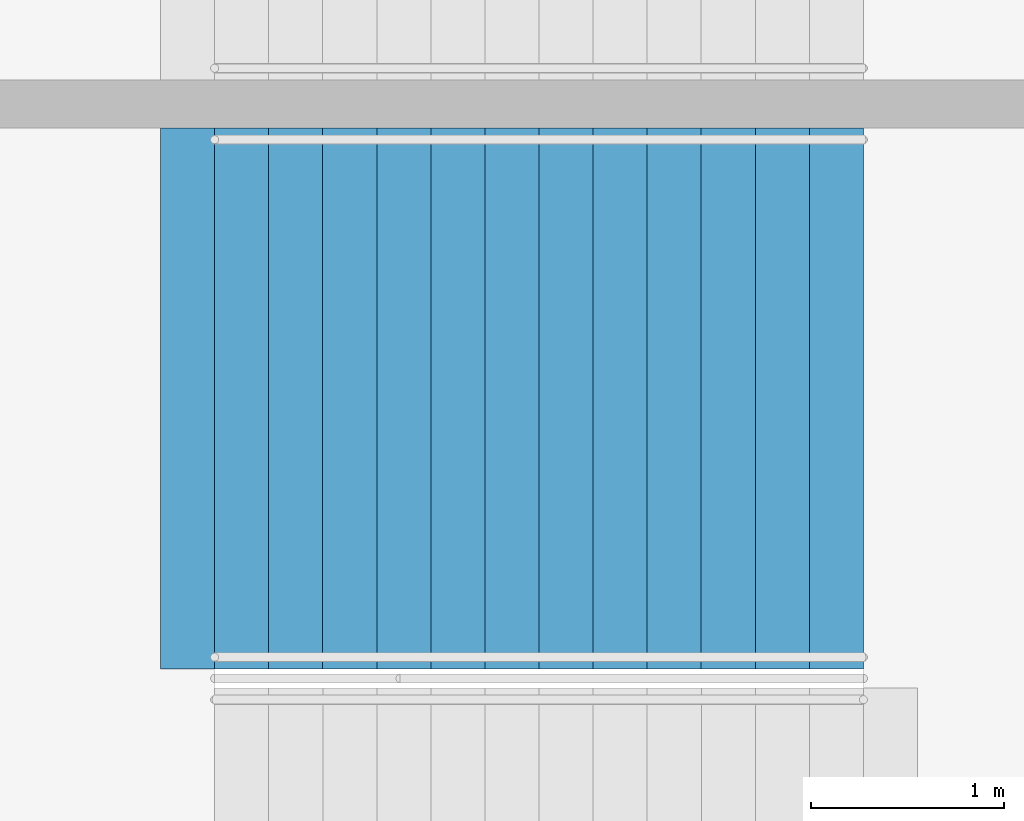
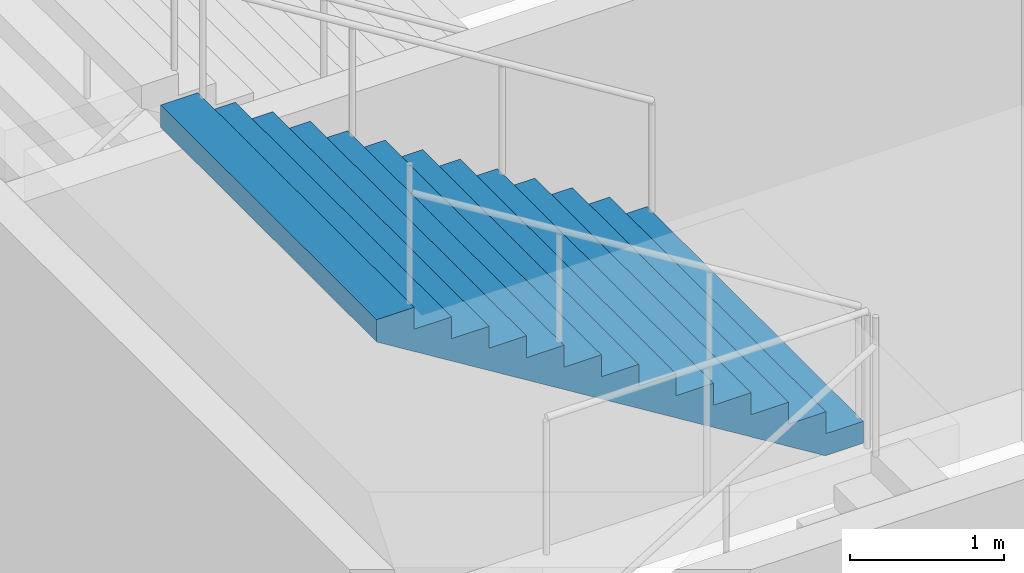
# One storey, part 142 of 199: 1 stair flight, 1 element without a shape of its own.
"""IFC4 building model written with IfcOpenShell, lengths in metres."""

import ifcopenshell
import ifcopenshell.guid

model = None  # the IFC model being written
_history = None  # IfcOwnerHistory: only IFC2X3 demands one
_inside = {}  # id of a spatial element -> (the spatial element, [elements in it])
_under = {}  # id of a project, library or spatial element -> (it, [spatial elements below it])
_declared = {}  # id of a project -> (the project, [libraries it declares])
_typed = {}  # id of a type object -> (the type object, [elements of that type])
_made_of = {}  # id of a material, layer set ... -> (it, [elements and type objects made of it])


def new_model(schema):
    """Start an empty IFC model of exactly this schema.

    Asked for "IFC4X3", IfcOpenShell would pick the latest addendum, in which some entities
    have other attributes; the version numbers below select the first issue.
    IFC2X3 requires an IfcOwnerHistory on every rooted entity: one is made here for all.
    """
    global model, _history
    if schema == "IFC4X3":
        model = ifcopenshell.file(schema_version=(4, 3, 0, 0))
    else:
        model = ifcopenshell.file(schema=schema)
    _inside.clear()
    _under.clear()
    _declared.clear()
    _typed.clear()
    _made_of.clear()
    _history = None
    if model.schema == "IFC2X3":
        org = make("IfcOrganization", Name="unknown")
        user = make(
            "IfcPersonAndOrganization",
            ThePerson=make("IfcPerson", FamilyName="unknown"),
            TheOrganization=org,
        )
        app = make(
            "IfcApplication",
            ApplicationDeveloper=org,
            Version="unknown",
            ApplicationFullName="unknown",
            ApplicationIdentifier="unknown",
        )
        _history = make(
            "IfcOwnerHistory",
            OwningUser=user,
            OwningApplication=app,
            ChangeAction="ADDED",
            CreationDate=0,
        )
    return model


def make(cls, **values):
    """One entity of the class cls with the attributes given. An attribute that is None is left unset."""
    return model.create_entity(
        cls, **{name: value for name, value in values.items() if value is not None}
    )


def rooted(cls, **values):
    """An entity with a GlobalId (a new one), such as an element, a storey or a relation."""
    return make(cls, GlobalId=ifcopenshell.guid.new(), OwnerHistory=_history, **values)


def si_unit(unit_type, name, prefix=None):
    """IfcSIUnit, for example si_unit("LENGTHUNIT", "METRE", prefix="MILLI")."""
    return make("IfcSIUnit", UnitType=unit_type, Prefix=prefix, Name=name)


def assignment(units):
    """IfcUnitAssignment: the units of a project."""
    return None if units is None else make("IfcUnitAssignment", Units=units)


def point(xyz):
    """IfcCartesianPoint."""
    return None if xyz is None else make("IfcCartesianPoint", Coordinates=xyz)


def direction(xyz):
    """IfcDirection."""
    return None if xyz is None else make("IfcDirection", DirectionRatios=xyz)


def frame(location, z_axis=None, x_axis=None):
    """IfcAxis2Placement3D, a coordinate frame: its origin and axes. An axis left out is left unset."""
    return make(
        "IfcAxis2Placement3D",
        Location=point(location),
        Axis=direction(z_axis),
        RefDirection=direction(x_axis),
    )


def origin():
    """The frame at (0, 0, 0) with its axes left unset."""
    return frame((0.0, 0.0, 0.0))


def place(relative_to, where):
    """IfcLocalPlacement: puts the frame where relative to a parent placement (None: the world)."""
    return make(
        "IfcLocalPlacement", PlacementRelTo=relative_to, RelativePlacement=where
    )


def context(
    kind, dimensions, precision=None, world=None, true_north=None, identifier=None
):
    """IfcGeometricRepresentationContext, for example the 3D "Model" context."""
    return make(
        "IfcGeometricRepresentationContext",
        ContextIdentifier=identifier,
        ContextType=kind,
        CoordinateSpaceDimension=dimensions,
        Precision=precision,
        WorldCoordinateSystem=world,
        TrueNorth=true_north,
    )


def subcontext(parent, identifier, kind, view, scale=None):
    """IfcGeometricRepresentationSubContext, for example "Body" below "Model"."""
    return make(
        "IfcGeometricRepresentationSubContext",
        ContextIdentifier=identifier,
        ContextType=kind,
        ParentContext=parent,
        TargetScale=scale,
        TargetView=view,
    )


def project(units=None, contexts=None):
    """IfcProject with its units and contexts."""
    return rooted(
        "IfcProject",
        Name="project",
        RepresentationContexts=contexts,
        UnitsInContext=assignment(units),
    )


def spatial(cls, under=None, at=None, **own):
    """A site, building, storey or space (cls), placed at a placement, below another one or the project."""
    s = rooted(cls, ObjectPlacement=at, **own)
    if under is not None:
        _under.setdefault(under.id(), (under, []))[1].append(s)
    return s


def faces_of(points, faces, orient=None, outer=None):
    """IfcFace entities. A face is a list of loops; a loop is a list of indices into points, from 0.

    orient and outer hold one flag for each loop. By default every Orientation is true, the
    first loop of a face is its IfcFaceOuterBound and the others are IfcFaceBound.
    """
    made = []
    for i, loops in enumerate(faces):
        bounds = []
        for j, loop in enumerate(loops):
            is_outer = j == 0 if outer is None else outer[i][j]
            bounds.append(
                make(
                    "IfcFaceOuterBound" if is_outer else "IfcFaceBound",
                    Bound=make("IfcPolyLoop", Polygon=[points[k] for k in loop]),
                    Orientation=True if orient is None else orient[i][j],
                )
            )
        made.append(make("IfcFace", Bounds=bounds))
    return made


def faceted_brep(points, faces, orient=None, outer=None, voids=None):
    """IfcFacetedBrep: a solid bounded by flat faces; with voids (closed shells), ...WithVoids."""
    shared = [point(p) for p in points]
    hull = make("IfcClosedShell", CfsFaces=faces_of(shared, faces, orient, outer))
    if voids is None:
        return make("IfcFacetedBrep", Outer=hull)
    return make(
        "IfcFacetedBrepWithVoids",
        Outer=hull,
        Voids=[
            make(cls, CfsFaces=faces_of(shared, fs, o, b)) for cls, fs, o, b in voids
        ],
    )


def shape(context_of_items, identifier, shape_type, items):
    """IfcShapeRepresentation: the items that make up one representation, for example the "Body"."""
    return make(
        "IfcShapeRepresentation",
        ContextOfItems=context_of_items,
        RepresentationIdentifier=identifier,
        RepresentationType=shape_type,
        Items=items,
    )


def material(Name=None, Category=None):
    """IfcMaterial."""
    return make("IfcMaterial", Name=Name, Category=Category)


def made_of(thing, what):
    """Note that an element or type object is made of a material, layer set ...; save() writes the relation."""
    if what is not None:
        _made_of.setdefault(what.id(), (what, []))[1].append(thing)
    return thing


def type_object(cls, material=None, **own):
    """A type object (cls), such as IfcWallType, which elements share."""
    return made_of(rooted(cls, **own), material)


def element(
    cls,
    number,
    at=None,
    inside=None,
    cuts=None,
    type_object=None,
    material=None,
    context=None,
    identifier="Body",
    shape_type=None,
    held_by="IfcProductDefinitionShape",
    body=None,
    shapes=None,
    **own,
):
    """One element of the class cls, such as IfcWall. Its Tag is "e" and its number.

    at: its placement. inside: the storey or other place that contains it. cuts: it is an
    opening in that element (IfcRelVoidsElement). A single representation is given by context,
    identifier, shape_type and body (its items); several are given by shapes. held_by: the class
    of the entity that holds the representations. save() writes the other relations.
    """
    e = rooted(cls, Tag="e%d" % number, ObjectPlacement=at, **own)
    if body is not None:
        shapes = [shape(context, identifier, shape_type, body)]
    if shapes is not None:
        e.Representation = make(held_by, Representations=shapes)
    if inside is not None:
        _inside.setdefault(inside.id(), (inside, []))[1].append(e)
    if cuts is not None:
        rooted(
            "IfcRelVoidsElement", RelatingBuildingElement=cuts, RelatedOpeningElement=e
        )
    if type_object is not None:
        _typed.setdefault(type_object.id(), (type_object, []))[1].append(e)
    return made_of(e, material)


def aggregate(whole, parts):
    """IfcRelAggregates: a whole, such as a stair, and the parts it consists of."""
    return rooted("IfcRelAggregates", RelatingObject=whole, RelatedObjects=parts)


def save(model, path):
    """Write the relations noted so far, then the file.

    IfcRelAggregates (storeys below a building ...), IfcRelContainedInSpatialStructure (elements
    in a storey), IfcRelDefinesByType, IfcRelAssociatesMaterial and IfcRelDeclares: one each for
    every whole, place, type object, material and project.
    """
    for whole, parts in _under.values():
        aggregate(whole, parts)
    for where, things in _inside.values():
        rooted(
            "IfcRelContainedInSpatialStructure",
            RelatedElements=things,
            RelatingStructure=where,
        )
    for kind, things in _typed.values():
        rooted("IfcRelDefinesByType", RelatedObjects=things, RelatingType=kind)
    for what, things in _made_of.values():
        rooted("IfcRelAssociatesMaterial", RelatedObjects=things, RelatingMaterial=what)
    for by, libraries in _declared.values():
        rooted("IfcRelDeclares", RelatingContext=by, RelatedDefinitions=libraries)
    model.write(path)


model = new_model("IFC4")

# Units and contexts
model_context = context("Model", 3, precision=1e-05, world=origin(), true_north=direction((0.0, 1.0)))
body_context = subcontext(model_context, "Body", "Model", "MODEL_VIEW")
ifc_project = project(units=[si_unit("LENGTHUNIT", "METRE"), si_unit("AREAUNIT", "SQUARE_METRE"), si_unit("VOLUMEUNIT", "CUBIC_METRE"), si_unit("PLANEANGLEUNIT", "RADIAN"), si_unit("MASSUNIT", "GRAM", prefix="KILO")], contexts=[model_context])

# Site, building, storey
site_placement = place(None, origin())
site = spatial("IfcSite", under=ifc_project, at=site_placement, CompositionType="ELEMENT")
building_placement = place(site_placement, origin())
building = spatial("IfcBuilding", under=site, at=building_placement, Name="Ogive Plaza Stadium", CompositionType="ELEMENT")
storey_placement = place(building_placement, frame((0.0, 0.0, 4.5)))
storey = spatial("IfcBuildingStorey", under=building, at=storey_placement, Name="L01", CompositionType="ELEMENT", Elevation=4.5)

# Stair, stair flight
ifc_material_1 = material(Name="Concrete C40/50", Category="concrete")
stair_type = type_object("IfcStairType", Name="Exit stair", PredefinedType="STRAIGHT_RUN_STAIR", material=ifc_material_1)
stair_placement = place(storey_placement, origin())
stair = element("IfcStair", 1, at=stair_placement, inside=storey, type_object=stair_type, Name="Exit stair ST08A L01 to L02", PredefinedType="STRAIGHT_RUN_STAIR")
ifc_material_2 = material(Name="Concrete C40/50", Category="concrete")
stair_flight_type = type_object("IfcStairFlightType", Name="Exit stair flight", PredefinedType="STRAIGHT", material=ifc_material_2)
stair_flight_placement = place(storey_placement, frame((79.7099609375, -54.02490234375, 2.25), z_axis=(0.0, 0.0, 1.0), x_axis=(-1.0, 0.0, 0.0)))
stair_flight = element("IfcStairFlight", 2, at=stair_flight_placement, type_object=stair_flight_type, Name="ST08A flight 2", NumberOfRisers=13, NumberOfTreads=12, PredefinedType="STRAIGHT", RiserHeight=0.173076923, TreadLength=0.28, context=body_context, shape_type="Brep", body=[
    faceted_brep([(0.28515625, -1.39990234375, 0.0), (3.639892578125, -1.39990234375, 2.07373046875), (3.639892578125, -1.39990234375, 2.25), (3.360107421875, -1.39990234375, 2.25), (3.360107421875, -1.39990234375, 2.076904296875), (3.080078125, -1.39990234375, 2.076904296875), (3.080078125, -1.39990234375, 1.90380859375), (2.800048828125, -1.39990234375, 1.90380859375), (2.800048828125, -1.39990234375, 1.730712890625), (2.52001953125, -1.39990234375, 1.730712890625), (2.52001953125, -1.39990234375, 1.5576171875), (2.239990234375, -1.39990234375, 1.5576171875), (2.239990234375, -1.39990234375, 1.384521484375), (1.9599609375, -1.39990234375, 1.384521484375), (1.9599609375, -1.39990234375, 1.21142578125), (1.679931640625, -1.39990234375, 1.21142578125), (1.679931640625, -1.39990234375, 1.03857421875), (1.39990234375, -1.39990234375, 1.03857421875), (1.39990234375, -1.39990234375, 0.865478515625), (1.1201171875, -1.39990234375, 0.865478515625), (1.1201171875, -1.39990234375, 0.6923828125), (0.840087890625, -1.39990234375, 0.6923828125), (0.840087890625, -1.39990234375, 0.519287109375), (0.56005859375, -1.39990234375, 0.519287109375), (0.56005859375, -1.39990234375, 0.34619140625), (0.280029296875, -1.39990234375, 0.34619140625), (0.280029296875, -1.39990234375, 0.173095703125), (0.0, -1.39990234375, 0.173095703125), (0.0, -1.39990234375, 0.0), (0.0, 1.39990234375, 0.0), (0.0, 1.39990234375, 0.173095703125), (0.280029296875, 1.39990234375, 0.173095703125), (0.280029296875, 1.39990234375, 0.34619140625), (0.56005859375, 1.39990234375, 0.34619140625), (0.56005859375, 1.39990234375, 0.519287109375), (0.840087890625, 1.39990234375, 0.519287109375), (0.840087890625, 1.39990234375, 0.6923828125), (1.1201171875, 1.39990234375, 0.6923828125), (1.1201171875, 1.39990234375, 0.865478515625), (1.39990234375, 1.39990234375, 0.865478515625), (1.39990234375, 1.39990234375, 1.03857421875), (1.679931640625, 1.39990234375, 1.03857421875), (1.679931640625, 1.39990234375, 1.21142578125), (1.9599609375, 1.39990234375, 1.21142578125), (1.9599609375, 1.39990234375, 1.384521484375), (2.239990234375, 1.39990234375, 1.384521484375), (2.239990234375, 1.39990234375, 1.5576171875), (2.52001953125, 1.39990234375, 1.5576171875), (2.52001953125, 1.39990234375, 1.730712890625), (2.800048828125, 1.39990234375, 1.730712890625), (2.800048828125, 1.39990234375, 1.90380859375), (3.080078125, 1.39990234375, 1.90380859375), (3.080078125, 1.39990234375, 2.076904296875), (3.360107421875, 1.39990234375, 2.076904296875), (3.360107421875, 1.39990234375, 2.25), (3.639892578125, 1.39990234375, 2.25), (3.639892578125, 1.39990234375, 2.07373046875), (0.28515625, 1.39990234375, 0.0), (0.28515625, -1.0888671875, 0.0), (3.639892578125, -1.0888671875, 2.07373046875), (0.28515625, -0.77783203125, 0.0), (3.639892578125, -0.77783203125, 2.07373046875), (0.28515625, -0.466796875, 0.0), (3.639892578125, -0.466796875, 2.07373046875), (0.28515625, -0.155517578125, 0.0), (3.639892578125, -0.155517578125, 2.07373046875), (0.28515625, 0.155517578125, 0.0), (3.639892578125, 0.155517578125, 2.07373046875), (0.28515625, 0.466796875, 0.0), (3.639892578125, 0.466796875, 2.07373046875), (0.28515625, 0.77783203125, 0.0), (3.639892578125, 0.77783203125, 2.07373046875), (0.28515625, 1.0888671875, 0.0), (3.639892578125, 1.0888671875, 2.07373046875), (3.639892578125, -1.0888671875, 2.25), (3.639892578125, -0.77783203125, 2.25), (3.639892578125, -0.466796875, 2.25), (3.639892578125, -0.155517578125, 2.25), (3.639892578125, 0.155517578125, 2.25), (3.639892578125, 0.466796875, 2.25), (3.639892578125, 0.77783203125, 2.25), (3.639892578125, 1.0888671875, 2.25), (3.360107421875, -1.0888671875, 2.25), (3.360107421875, -0.77783203125, 2.25), (3.360107421875, -0.466796875, 2.25), (3.360107421875, -0.155517578125, 2.25), (3.360107421875, 0.155517578125, 2.25), (3.360107421875, 0.466796875, 2.25), (3.360107421875, 0.77783203125, 2.25), (3.360107421875, 1.0888671875, 2.25), (3.360107421875, -1.0888671875, 2.076904296875), (3.360107421875, -0.77783203125, 2.076904296875), (3.360107421875, -0.466796875, 2.076904296875), (3.360107421875, -0.155517578125, 2.076904296875), (3.360107421875, 0.155517578125, 2.076904296875), (3.360107421875, 0.466796875, 2.076904296875), (3.360107421875, 0.77783203125, 2.076904296875), (3.360107421875, 1.0888671875, 2.076904296875), (3.080078125, -1.0888671875, 2.076904296875), (3.080078125, -0.77783203125, 2.076904296875), (3.080078125, -0.466796875, 2.076904296875), (3.080078125, -0.155517578125, 2.076904296875), (3.080078125, 0.155517578125, 2.076904296875), (3.080078125, 0.466796875, 2.076904296875), (3.080078125, 0.77783203125, 2.076904296875), (3.080078125, 1.0888671875, 2.076904296875), (3.080078125, -1.0888671875, 1.90380859375), (3.080078125, -0.77783203125, 1.90380859375), (3.080078125, -0.466796875, 1.90380859375), (3.080078125, -0.155517578125, 1.90380859375), (3.080078125, 0.155517578125, 1.90380859375), (3.080078125, 0.466796875, 1.90380859375), (3.080078125, 0.77783203125, 1.90380859375), (3.080078125, 1.0888671875, 1.90380859375), (2.800048828125, -1.0888671875, 1.90380859375), (2.800048828125, -0.77783203125, 1.90380859375), (2.800048828125, -0.466796875, 1.90380859375), (2.800048828125, -0.155517578125, 1.90380859375), (2.800048828125, 0.155517578125, 1.90380859375), (2.800048828125, 0.466796875, 1.90380859375), (2.800048828125, 0.77783203125, 1.90380859375), (2.800048828125, 1.0888671875, 1.90380859375), (2.800048828125, -1.0888671875, 1.730712890625), (2.800048828125, -0.77783203125, 1.730712890625), (2.800048828125, -0.466796875, 1.730712890625), (2.800048828125, -0.155517578125, 1.730712890625), (2.800048828125, 0.155517578125, 1.730712890625), (2.800048828125, 0.466796875, 1.730712890625), (2.800048828125, 0.77783203125, 1.730712890625), (2.800048828125, 1.0888671875, 1.730712890625), (2.52001953125, -1.0888671875, 1.730712890625), (2.52001953125, -0.77783203125, 1.730712890625), (2.52001953125, -0.466796875, 1.730712890625), (2.52001953125, -0.155517578125, 1.730712890625), (2.52001953125, 0.155517578125, 1.730712890625), (2.52001953125, 0.466796875, 1.730712890625), (2.52001953125, 0.77783203125, 1.730712890625), (2.52001953125, 1.0888671875, 1.730712890625), (2.52001953125, -1.0888671875, 1.5576171875), (2.52001953125, -0.77783203125, 1.5576171875), (2.52001953125, -0.466796875, 1.5576171875), (2.52001953125, -0.155517578125, 1.5576171875), (2.52001953125, 0.155517578125, 1.5576171875), (2.52001953125, 0.466796875, 1.5576171875), (2.52001953125, 0.77783203125, 1.5576171875), (2.52001953125, 1.0888671875, 1.5576171875), (2.239990234375, -1.0888671875, 1.5576171875), (2.239990234375, -0.77783203125, 1.5576171875), (2.239990234375, -0.466796875, 1.5576171875), (2.239990234375, -0.155517578125, 1.5576171875), (2.239990234375, 0.155517578125, 1.5576171875), (2.239990234375, 0.466796875, 1.5576171875), (2.239990234375, 0.77783203125, 1.5576171875), (2.239990234375, 1.0888671875, 1.5576171875), (2.239990234375, -1.0888671875, 1.384521484375), (2.239990234375, -0.77783203125, 1.384521484375), (2.239990234375, -0.466796875, 1.384521484375), (2.239990234375, -0.155517578125, 1.384521484375), (2.239990234375, 0.155517578125, 1.384521484375), (2.239990234375, 0.466796875, 1.384521484375), (2.239990234375, 0.77783203125, 1.384521484375), (2.239990234375, 1.0888671875, 1.384521484375), (1.9599609375, -1.0888671875, 1.384521484375), (1.9599609375, -0.77783203125, 1.384521484375), (1.9599609375, -0.466796875, 1.384521484375), (1.9599609375, -0.155517578125, 1.384521484375), (1.9599609375, 0.155517578125, 1.384521484375), (1.9599609375, 0.466796875, 1.384521484375), (1.9599609375, 0.77783203125, 1.384521484375), (1.9599609375, 1.0888671875, 1.384521484375), (1.9599609375, -1.0888671875, 1.21142578125), (1.9599609375, -0.77783203125, 1.21142578125), (1.9599609375, -0.466796875, 1.21142578125), (1.9599609375, -0.155517578125, 1.21142578125), (1.9599609375, 0.155517578125, 1.21142578125), (1.9599609375, 0.466796875, 1.21142578125), (1.9599609375, 0.77783203125, 1.21142578125), (1.9599609375, 1.0888671875, 1.21142578125), (1.679931640625, -1.0888671875, 1.21142578125), (1.679931640625, -0.77783203125, 1.21142578125), (1.679931640625, -0.466796875, 1.21142578125), (1.679931640625, -0.155517578125, 1.21142578125), (1.679931640625, 0.155517578125, 1.21142578125), (1.679931640625, 0.466796875, 1.21142578125), (1.679931640625, 0.77783203125, 1.21142578125), (1.679931640625, 1.0888671875, 1.21142578125), (1.679931640625, -1.0888671875, 1.03857421875), (1.679931640625, -0.77783203125, 1.03857421875), (1.679931640625, -0.466796875, 1.03857421875), (1.679931640625, -0.155517578125, 1.03857421875), (1.679931640625, 0.155517578125, 1.03857421875), (1.679931640625, 0.466796875, 1.03857421875), (1.679931640625, 0.77783203125, 1.03857421875), (1.679931640625, 1.0888671875, 1.03857421875), (1.39990234375, -1.0888671875, 1.03857421875), (1.39990234375, -0.77783203125, 1.03857421875), (1.39990234375, -0.466796875, 1.03857421875), (1.39990234375, -0.155517578125, 1.03857421875), (1.39990234375, 0.155517578125, 1.03857421875), (1.39990234375, 0.466796875, 1.03857421875), (1.39990234375, 0.77783203125, 1.03857421875), (1.39990234375, 1.0888671875, 1.03857421875), (1.39990234375, -1.0888671875, 0.865478515625), (1.39990234375, -0.77783203125, 0.865478515625), (1.39990234375, -0.466796875, 0.865478515625), (1.39990234375, -0.155517578125, 0.865478515625), (1.39990234375, 0.155517578125, 0.865478515625), (1.39990234375, 0.466796875, 0.865478515625), (1.39990234375, 0.77783203125, 0.865478515625), (1.39990234375, 1.0888671875, 0.865478515625), (1.1201171875, -1.0888671875, 0.865478515625), (1.1201171875, -0.77783203125, 0.865478515625), (1.1201171875, -0.466796875, 0.865478515625), (1.1201171875, -0.155517578125, 0.865478515625), (1.1201171875, 0.155517578125, 0.865478515625), (1.1201171875, 0.466796875, 0.865478515625), (1.1201171875, 0.77783203125, 0.865478515625), (1.1201171875, 1.0888671875, 0.865478515625), (1.1201171875, -1.0888671875, 0.6923828125), (1.1201171875, -0.77783203125, 0.6923828125), (1.1201171875, -0.466796875, 0.6923828125), (1.1201171875, -0.155517578125, 0.6923828125), (1.1201171875, 0.155517578125, 0.6923828125), (1.1201171875, 0.466796875, 0.6923828125), (1.1201171875, 0.77783203125, 0.6923828125), (1.1201171875, 1.0888671875, 0.6923828125), (0.840087890625, -1.0888671875, 0.6923828125), (0.840087890625, -0.77783203125, 0.6923828125), (0.840087890625, -0.466796875, 0.6923828125), (0.840087890625, -0.155517578125, 0.6923828125), (0.840087890625, 0.155517578125, 0.6923828125), (0.840087890625, 0.466796875, 0.6923828125), (0.840087890625, 0.77783203125, 0.6923828125), (0.840087890625, 1.0888671875, 0.6923828125), (0.840087890625, -1.0888671875, 0.519287109375), (0.840087890625, -0.77783203125, 0.519287109375), (0.840087890625, -0.466796875, 0.519287109375), (0.840087890625, -0.155517578125, 0.519287109375), (0.840087890625, 0.155517578125, 0.519287109375), (0.840087890625, 0.466796875, 0.519287109375), (0.840087890625, 0.77783203125, 0.519287109375), (0.840087890625, 1.0888671875, 0.519287109375), (0.56005859375, -1.0888671875, 0.519287109375), (0.56005859375, -0.77783203125, 0.519287109375), (0.56005859375, -0.466796875, 0.519287109375), (0.56005859375, -0.155517578125, 0.519287109375), (0.56005859375, 0.155517578125, 0.519287109375), (0.56005859375, 0.466796875, 0.519287109375), (0.56005859375, 0.77783203125, 0.519287109375), (0.56005859375, 1.0888671875, 0.519287109375), (0.56005859375, -1.0888671875, 0.34619140625), (0.56005859375, -0.77783203125, 0.34619140625), (0.56005859375, -0.466796875, 0.34619140625), (0.56005859375, -0.155517578125, 0.34619140625), (0.56005859375, 0.155517578125, 0.34619140625), (0.56005859375, 0.466796875, 0.34619140625), (0.56005859375, 0.77783203125, 0.34619140625), (0.56005859375, 1.0888671875, 0.34619140625), (0.280029296875, -1.0888671875, 0.34619140625), (0.280029296875, -0.77783203125, 0.34619140625), (0.280029296875, -0.466796875, 0.34619140625), (0.280029296875, -0.155517578125, 0.34619140625), (0.280029296875, 0.155517578125, 0.34619140625), (0.280029296875, 0.466796875, 0.34619140625), (0.280029296875, 0.77783203125, 0.34619140625), (0.280029296875, 1.0888671875, 0.34619140625), (0.280029296875, -1.0888671875, 0.173095703125), (0.280029296875, -0.77783203125, 0.173095703125), (0.280029296875, -0.466796875, 0.173095703125), (0.280029296875, -0.155517578125, 0.173095703125), (0.280029296875, 0.155517578125, 0.173095703125), (0.280029296875, 0.466796875, 0.173095703125), (0.280029296875, 0.77783203125, 0.173095703125), (0.280029296875, 1.0888671875, 0.173095703125), (0.0, -1.0888671875, 0.173095703125), (0.0, -0.77783203125, 0.173095703125), (0.0, -0.466796875, 0.173095703125), (0.0, -0.155517578125, 0.173095703125), (0.0, 0.155517578125, 0.173095703125), (0.0, 0.466796875, 0.173095703125), (0.0, 0.77783203125, 0.173095703125), (0.0, 1.0888671875, 0.173095703125), (0.0, -1.0888671875, 0.0), (0.0, -0.77783203125, 0.0), (0.0, -0.466796875, 0.0), (0.0, -0.155517578125, 0.0), (0.0, 0.155517578125, 0.0), (0.0, 0.466796875, 0.0), (0.0, 0.77783203125, 0.0), (0.0, 1.0888671875, 0.0)], [[[0, 1, 2, 3, 4, 5, 6, 7, 8, 9, 10, 11, 12, 13, 14, 15, 16, 17, 18, 19, 20, 21, 22, 23, 24, 25, 26, 27, 28]], [[29, 30, 31, 32, 33, 34, 35, 36, 37, 38, 39, 40, 41, 42, 43, 44, 45, 46, 47, 48, 49, 50, 51, 52, 53, 54, 55, 56, 57]], [[0, 58, 59, 1]], [[58, 60, 61, 59]], [[60, 62, 63, 61]], [[62, 64, 65, 63]], [[64, 66, 67, 65]], [[66, 68, 69, 67]], [[68, 70, 71, 69]], [[70, 72, 73, 71]], [[72, 57, 56, 73]], [[1, 59, 74, 2]], [[59, 61, 75, 74]], [[61, 63, 76, 75]], [[63, 65, 77, 76]], [[65, 67, 78, 77]], [[67, 69, 79, 78]], [[69, 71, 80, 79]], [[71, 73, 81, 80]], [[73, 56, 55, 81]], [[2, 74, 82, 3]], [[74, 75, 83, 82]], [[75, 76, 84, 83]], [[76, 77, 85, 84]], [[77, 78, 86, 85]], [[78, 79, 87, 86]], [[79, 80, 88, 87]], [[80, 81, 89, 88]], [[81, 55, 54, 89]], [[3, 82, 90, 4]], [[82, 83, 91, 90]], [[83, 84, 92, 91]], [[84, 85, 93, 92]], [[85, 86, 94, 93]], [[86, 87, 95, 94]], [[87, 88, 96, 95]], [[88, 89, 97, 96]], [[89, 54, 53, 97]], [[4, 90, 98, 5]], [[90, 91, 99, 98]], [[91, 92, 100, 99]], [[92, 93, 101, 100]], [[93, 94, 102, 101]], [[94, 95, 103, 102]], [[95, 96, 104, 103]], [[96, 97, 105, 104]], [[97, 53, 52, 105]], [[5, 98, 106, 6]], [[98, 99, 107, 106]], [[99, 100, 108, 107]], [[100, 101, 109, 108]], [[101, 102, 110, 109]], [[102, 103, 111, 110]], [[103, 104, 112, 111]], [[104, 105, 113, 112]], [[105, 52, 51, 113]], [[6, 106, 114, 7]], [[106, 107, 115, 114]], [[107, 108, 116, 115]], [[108, 109, 117, 116]], [[109, 110, 118, 117]], [[110, 111, 119, 118]], [[111, 112, 120, 119]], [[112, 113, 121, 120]], [[113, 51, 50, 121]], [[7, 114, 122, 8]], [[114, 115, 123, 122]], [[115, 116, 124, 123]], [[116, 117, 125, 124]], [[117, 118, 126, 125]], [[118, 119, 127, 126]], [[119, 120, 128, 127]], [[120, 121, 129, 128]], [[121, 50, 49, 129]], [[8, 122, 130, 9]], [[122, 123, 131, 130]], [[123, 124, 132, 131]], [[124, 125, 133, 132]], [[125, 126, 134, 133]], [[126, 127, 135, 134]], [[127, 128, 136, 135]], [[128, 129, 137, 136]], [[129, 49, 48, 137]], [[9, 130, 138, 10]], [[130, 131, 139, 138]], [[131, 132, 140, 139]], [[132, 133, 141, 140]], [[133, 134, 142, 141]], [[134, 135, 143, 142]], [[135, 136, 144, 143]], [[136, 137, 145, 144]], [[137, 48, 47, 145]], [[10, 138, 146, 11]], [[138, 139, 147, 146]], [[139, 140, 148, 147]], [[140, 141, 149, 148]], [[141, 142, 150, 149]], [[142, 143, 151, 150]], [[143, 144, 152, 151]], [[144, 145, 153, 152]], [[145, 47, 46, 153]], [[11, 146, 154, 12]], [[146, 147, 155, 154]], [[147, 148, 156, 155]], [[148, 149, 157, 156]], [[149, 150, 158, 157]], [[150, 151, 159, 158]], [[151, 152, 160, 159]], [[152, 153, 161, 160]], [[153, 46, 45, 161]], [[12, 154, 162, 13]], [[154, 155, 163, 162]], [[155, 156, 164, 163]], [[156, 157, 165, 164]], [[157, 158, 166, 165]], [[158, 159, 167, 166]], [[159, 160, 168, 167]], [[160, 161, 169, 168]], [[161, 45, 44, 169]], [[13, 162, 170, 14]], [[162, 163, 171, 170]], [[163, 164, 172, 171]], [[164, 165, 173, 172]], [[165, 166, 174, 173]], [[166, 167, 175, 174]], [[167, 168, 176, 175]], [[168, 169, 177, 176]], [[169, 44, 43, 177]], [[14, 170, 178, 15]], [[170, 171, 179, 178]], [[171, 172, 180, 179]], [[172, 173, 181, 180]], [[173, 174, 182, 181]], [[174, 175, 183, 182]], [[175, 176, 184, 183]], [[176, 177, 185, 184]], [[177, 43, 42, 185]], [[15, 178, 186, 16]], [[178, 179, 187, 186]], [[179, 180, 188, 187]], [[180, 181, 189, 188]], [[181, 182, 190, 189]], [[182, 183, 191, 190]], [[183, 184, 192, 191]], [[184, 185, 193, 192]], [[185, 42, 41, 193]], [[16, 186, 194, 17]], [[186, 187, 195, 194]], [[187, 188, 196, 195]], [[188, 189, 197, 196]], [[189, 190, 198, 197]], [[190, 191, 199, 198]], [[191, 192, 200, 199]], [[192, 193, 201, 200]], [[193, 41, 40, 201]], [[17, 194, 202, 18]], [[194, 195, 203, 202]], [[195, 196, 204, 203]], [[196, 197, 205, 204]], [[197, 198, 206, 205]], [[198, 199, 207, 206]], [[199, 200, 208, 207]], [[200, 201, 209, 208]], [[201, 40, 39, 209]], [[18, 202, 210, 19]], [[202, 203, 211, 210]], [[203, 204, 212, 211]], [[204, 205, 213, 212]], [[205, 206, 214, 213]], [[206, 207, 215, 214]], [[207, 208, 216, 215]], [[208, 209, 217, 216]], [[209, 39, 38, 217]], [[19, 210, 218, 20]], [[210, 211, 219, 218]], [[211, 212, 220, 219]], [[212, 213, 221, 220]], [[213, 214, 222, 221]], [[214, 215, 223, 222]], [[215, 216, 224, 223]], [[216, 217, 225, 224]], [[217, 38, 37, 225]], [[20, 218, 226, 21]], [[218, 219, 227, 226]], [[219, 220, 228, 227]], [[220, 221, 229, 228]], [[221, 222, 230, 229]], [[222, 223, 231, 230]], [[223, 224, 232, 231]], [[224, 225, 233, 232]], [[225, 37, 36, 233]], [[21, 226, 234, 22]], [[226, 227, 235, 234]], [[227, 228, 236, 235]], [[228, 229, 237, 236]], [[229, 230, 238, 237]], [[230, 231, 239, 238]], [[231, 232, 240, 239]], [[232, 233, 241, 240]], [[233, 36, 35, 241]], [[22, 234, 242, 23]], [[234, 235, 243, 242]], [[235, 236, 244, 243]], [[236, 237, 245, 244]], [[237, 238, 246, 245]], [[238, 239, 247, 246]], [[239, 240, 248, 247]], [[240, 241, 249, 248]], [[241, 35, 34, 249]], [[23, 242, 250, 24]], [[242, 243, 251, 250]], [[243, 244, 252, 251]], [[244, 245, 253, 252]], [[245, 246, 254, 253]], [[246, 247, 255, 254]], [[247, 248, 256, 255]], [[248, 249, 257, 256]], [[249, 34, 33, 257]], [[24, 250, 258, 25]], [[250, 251, 259, 258]], [[251, 252, 260, 259]], [[252, 253, 261, 260]], [[253, 254, 262, 261]], [[254, 255, 263, 262]], [[255, 256, 264, 263]], [[256, 257, 265, 264]], [[257, 33, 32, 265]], [[25, 258, 266, 26]], [[258, 259, 267, 266]], [[259, 260, 268, 267]], [[260, 261, 269, 268]], [[261, 262, 270, 269]], [[262, 263, 271, 270]], [[263, 264, 272, 271]], [[264, 265, 273, 272]], [[265, 32, 31, 273]], [[26, 266, 274, 27]], [[266, 267, 275, 274]], [[267, 268, 276, 275]], [[268, 269, 277, 276]], [[269, 270, 278, 277]], [[270, 271, 279, 278]], [[271, 272, 280, 279]], [[272, 273, 281, 280]], [[273, 31, 30, 281]], [[27, 274, 282, 28]], [[274, 275, 283, 282]], [[275, 276, 284, 283]], [[276, 277, 285, 284]], [[277, 278, 286, 285]], [[278, 279, 287, 286]], [[279, 280, 288, 287]], [[280, 281, 289, 288]], [[281, 30, 29, 289]], [[28, 282, 58, 0]], [[282, 283, 60, 58]], [[283, 284, 62, 60]], [[284, 285, 64, 62]], [[285, 286, 66, 64]], [[286, 287, 68, 66]], [[287, 288, 70, 68]], [[288, 289, 72, 70]], [[289, 29, 57, 72]]]),
])
aggregate(stair, [stair_flight])

save(model, "model.ifc")
